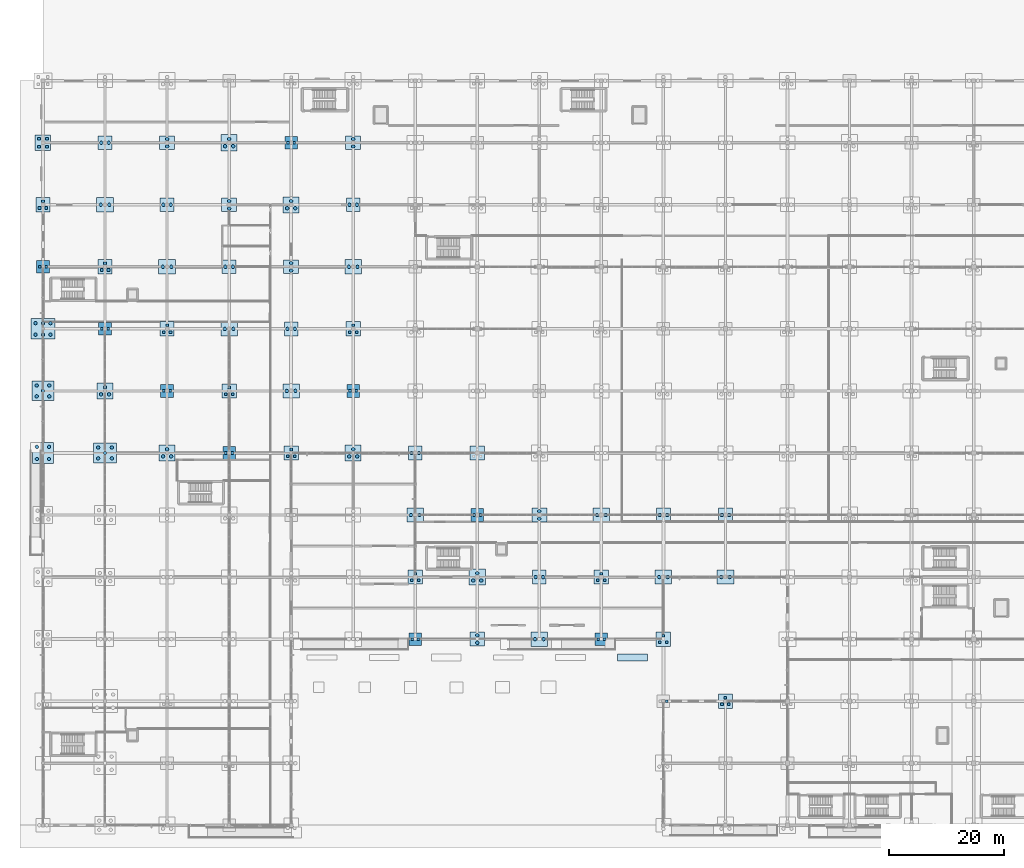
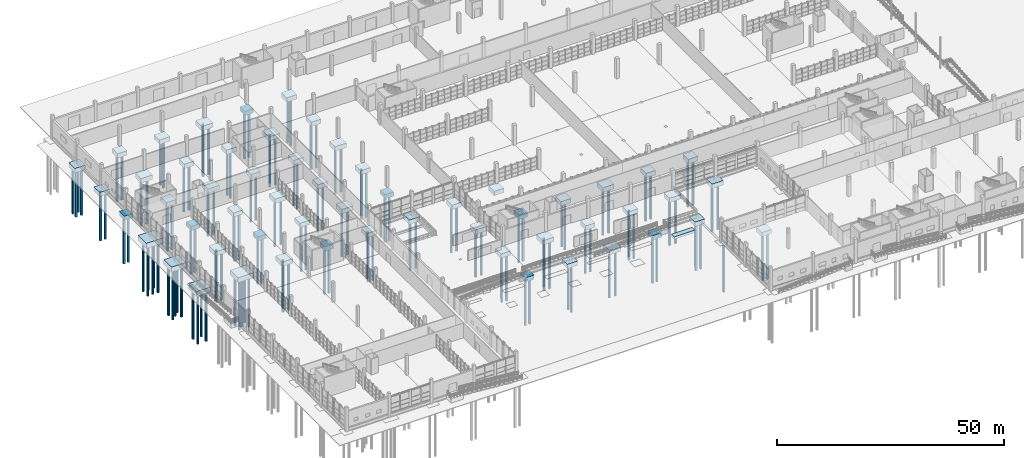
# One storey, part 2 of 138: 141 piles, 57 footings.
"""IFC4 building model written with IfcOpenShell, lengths in metres."""

from ifc_helpers import new_model, si_unit, direction, frame, origin, origin_2d, place, context, subcontext, project, spatial, rectangle, circle, extrude, material, material_profile, profile_set, type_object, element, save


model = new_model("IFC4")

# Units and contexts
model_context = context("Model", 3, precision=1e-05, world=origin(), true_north=direction((0.0, 1.0)))
body_context = subcontext(model_context, "Body", "Model", "MODEL_VIEW")
ifc_project = project(units=[si_unit("LENGTHUNIT", "METRE"), si_unit("AREAUNIT", "SQUARE_METRE"), si_unit("VOLUMEUNIT", "CUBIC_METRE"), si_unit("PLANEANGLEUNIT", "RADIAN"), si_unit("MASSUNIT", "GRAM", prefix="KILO")], contexts=[model_context])

# Site, building, storey
site_placement = place(None, origin())
site = spatial("IfcSite", under=ifc_project, at=site_placement, CompositionType="ELEMENT")
building_placement = place(site_placement, origin())
building = spatial("IfcBuilding", under=site, at=building_placement, Name="Zwinboog Wholesale Market", CompositionType="ELEMENT")
storey_placement = place(building_placement, origin())
storey = spatial("IfcBuildingStorey", under=building, at=storey_placement, Name="L00", CompositionType="ELEMENT", Elevation=0.0)

# Piles
ifc_material_1 = material(Name="Concrete C40/50", Category="concrete")
ifc_material_profile_1 = material_profile(ifc_material_1, circle(Radius=0.300048828125, at=origin_2d()), Name="PILE D600")
ifc_profile_set_1 = profile_set([ifc_material_profile_1], Name="Concrete C40/50")
pile_type_1 = type_object("IfcPileType", Name="PT-BORED-600", PredefinedType="BORED", material=ifc_profile_set_1)
for number, where, z_axis, x_axis, name in (
    (1, (-1.050048828125, 63.75, -2.39990234375), (0.0, 0.0, -1.0), (1.0, 0.0, 0.0), "P-01 (PIL-0020)"),
    (2, (1.050048828125, 63.75, -2.39990234375), (0.0, 0.0, -1.0), (1.0, 0.0, 0.0), "P-01 (PIL-0021)"),
    (3, (-1.050048828125, 65.85009765625, -2.39990234375), (0.0, 0.0, -1.0), (1.0, 0.0, 0.0), "P-01 (PIL-0022)"),
    (4, (1.050048828125, 65.85009765625, -2.39990234375), (0.0, 0.0, -1.0), (1.0, 0.0, 0.0), "P-01 (PIL-0023)"),
    (5, (-1.10009765625, 74.64990234375, -2.449951171875), (0.0, 0.0, -1.0), (1.0, 0.0, 0.0), "P-01 (PIL-0024)"),
    (6, (1.10009765625, 74.64990234375, -2.449951171875), (0.0, 0.0, -1.0), (1.0, 0.0, 0.0), "P-01 (PIL-0025)"),
    (7, (0.0, 75.60009765625, -2.449951171875), (0.0, 0.0, -1.0), (1.0, 0.0, 0.0), "P-01 (PIL-0026)"),
    (8, (-1.10009765625, 76.550048828125, -2.449951171875), (0.0, 0.0, -1.0), (1.0, 0.0, 0.0), "P-01 (PIL-0027)"),
    (9, (1.10009765625, 76.550048828125, -2.449951171875), (0.0, 0.0, -1.0), (1.0, 0.0, 0.0), "P-01 (PIL-0028)"),
    (10, (-1.300048828125, 85.39990234375, -2.5), (0.0, 0.0, -1.0), (1.0, 0.0, 0.0), "P-01 (PIL-0029)"),
    (11, (0.0, 85.39990234375, -2.5), (0.0, 0.0, -1.0), (1.0, 0.0, 0.0), "P-01 (PIL-0030)"),
    (12, (1.300048828125, 85.39990234375, -2.5), (0.0, 0.0, -1.0), (1.0, 0.0, 0.0), "P-01 (PIL-0031)"),
    (13, (-1.300048828125, 87.39990234375, -2.5), (0.0, 0.0, -1.0), (1.0, 0.0, 0.0), "P-01 (PIL-0032)"),
    (14, (0.0, 87.39990234375, -2.5), (0.0, 0.0, -1.0), (1.0, 0.0, 0.0), "P-01 (PIL-0033)"),
    (15, (1.300048828125, 87.39990234375, -2.5), (0.0, 0.0, -1.0), (1.0, 0.0, 0.0), "P-01 (PIL-0034)"),
    (16, (9.60009765625, 63.85009765625, -2.449951171875), (0.0, 0.0, -1.0), (1.0, 0.0, 0.0), "P-01 (PIL-0073)"),
    (17, (12.0, 63.85009765625, -2.449951171875), (0.0, 0.0, -1.0), (1.0, 0.0, 0.0), "P-01 (PIL-0074)"),
    (18, (10.800048828125, 64.800048828125, -2.449951171875), (0.0, 0.0, -1.0), (1.0, 0.0, 0.0), "P-01 (PIL-0075)"),
    (19, (9.60009765625, 65.75, -2.449951171875), (0.0, 0.0, -1.0), (1.0, 0.0, 0.0), "P-01 (PIL-0076)"),
    (20, (12.0, 65.75, -2.449951171875), (0.0, 0.0, -1.0), (1.0, 0.0, 0.0), "P-01 (PIL-0077)"),
):
    element("IfcPile", number, at=place(storey_placement, frame(where, z_axis=z_axis, x_axis=x_axis)), inside=storey, type_object=pile_type_1, Name=name, PredefinedType="BORED", context=body_context, shape_type="SweptSolid", body=[
        extrude(circle(Radius=0.300048828125, at=origin_2d()), origin(), (0.0, 0.0, 1.0), 13.5),
    ])
for number, where, z_axis, x_axis, name in (
    (21, (10.10009765625, 75.0, -2.300048828125), (0.0, 0.0, -1.0), (1.0, 0.0, 0.0), "P-01 (PIL-0078)"),
    (22, (11.5, 75.0, -2.300048828125), (0.0, 0.0, -1.0), (1.0, 0.0, 0.0), "P-01 (PIL-0079)"),
    (23, (10.800048828125, 76.25, -2.300048828125), (0.0, 0.0, -1.0), (1.0, 0.0, 0.0), "P-01 (PIL-0080)"),
):
    element("IfcPile", number, at=place(storey_placement, frame(where, z_axis=z_axis, x_axis=x_axis)), inside=storey, type_object=pile_type_1, Name=name, PredefinedType="BORED", context=body_context, shape_type="SweptSolid", body=[
        extrude(circle(Radius=0.300048828125, at=origin_2d()), origin(), (0.0, 0.0, 1.0), 13.0),
    ])
for number, where, z_axis, x_axis, name in (
    (24, (10.050048828125, 108.0, -2.300048828125), (0.0, 0.0, -1.0), (1.0, 0.0, 0.0), "P-01 (PIL-0086)"),
    (25, (11.550048828125, 108.0, -2.300048828125), (0.0, 0.0, -1.0), (1.0, 0.0, 0.0), "P-01 (PIL-0087)"),
    (26, (10.14990234375, 118.800048828125, -2.300048828125), (0.0, 0.0, -1.0), (1.0, 0.0, 0.0), "P-01 (PIL-0088)"),
    (27, (11.449951171875, 118.800048828125, -2.300048828125), (0.0, 0.0, -1.0), (1.0, 0.0, 0.0), "P-01 (PIL-0089)"),
):
    element("IfcPile", number, at=place(storey_placement, frame(where, z_axis=z_axis, x_axis=x_axis)), inside=storey, type_object=pile_type_1, Name=name, PredefinedType="BORED", context=body_context, shape_type="SweptSolid", body=[
        extrude(circle(Radius=0.300048828125, at=origin_2d()), origin(), (0.0, 0.0, 1.0), 12.5),
    ])
for number, where, z_axis, x_axis, name in (
    (28, (20.89990234375, 64.199951171875, -2.300048828125), (0.0, 0.0, -1.0), (1.0, 0.0, 0.0), "P-01 (PIL-0106)"),
    (29, (22.300048828125, 64.199951171875, -2.300048828125), (0.0, 0.0, -1.0), (1.0, 0.0, 0.0), "P-01 (PIL-0107)"),
    (30, (21.60009765625, 65.449951171875, -2.300048828125), (0.0, 0.0, -1.0), (1.0, 0.0, 0.0), "P-01 (PIL-0108)"),
):
    element("IfcPile", number, at=place(storey_placement, frame(where, z_axis=z_axis, x_axis=x_axis)), inside=storey, type_object=pile_type_1, Name=name, PredefinedType="BORED", context=body_context, shape_type="SweptSolid", body=[
        extrude(circle(Radius=0.300048828125, at=origin_2d()), origin(), (0.0, 0.0, 1.0), 13.0),
    ])
for number, where, z_axis, x_axis, name in (
    (31, (20.85009765625, 97.199951171875, -2.300048828125), (0.0, 0.0, -1.0), (1.0, 0.0, 0.0), "P-01 (PIL-0114)"),
    (32, (22.35009765625, 97.199951171875, -2.300048828125), (0.0, 0.0, -1.0), (1.0, 0.0, 0.0), "P-01 (PIL-0115)"),
    (33, (20.949951171875, 108.0, -2.300048828125), (0.0, 0.0, -1.0), (1.0, 0.0, 0.0), "P-01 (PIL-0116)"),
    (34, (22.25, 108.0, -2.300048828125), (0.0, 0.0, -1.0), (1.0, 0.0, 0.0), "P-01 (PIL-0117)"),
    (35, (21.60009765625, 118.14990234375, -2.300048828125), (0.0, 0.0, -1.0), (1.0, 0.0, 0.0), "P-01 (PIL-0118)"),
    (36, (21.60009765625, 119.449951171875, -2.300048828125), (0.0, 0.0, -1.0), (1.0, 0.0, 0.0), "P-01 (PIL-0119)"),
    (37, (31.64990234375, 86.39990234375, -2.300048828125), (0.0, 0.0, -1.0), (1.0, 0.0, 0.0), "P-01 (PIL-0142)"),
    (38, (33.14990234375, 86.39990234375, -2.300048828125), (0.0, 0.0, -1.0), (1.0, 0.0, 0.0), "P-01 (PIL-0143)"),
    (39, (31.75, 97.199951171875, -2.300048828125), (0.0, 0.0, -1.0), (1.0, 0.0, 0.0), "P-01 (PIL-0144)"),
    (40, (33.050048828125, 97.199951171875, -2.300048828125), (0.0, 0.0, -1.0), (1.0, 0.0, 0.0), "P-01 (PIL-0145)"),
    (41, (32.39990234375, 107.35009765625, -2.300048828125), (0.0, 0.0, -1.0), (1.0, 0.0, 0.0), "P-01 (PIL-0146)"),
    (42, (32.39990234375, 108.64990234375, -2.300048828125), (0.0, 0.0, -1.0), (1.0, 0.0, 0.0), "P-01 (PIL-0147)"),
):
    element("IfcPile", number, at=place(storey_placement, frame(where, z_axis=z_axis, x_axis=x_axis)), inside=storey, type_object=pile_type_1, Name=name, PredefinedType="BORED", context=body_context, shape_type="SweptSolid", body=[
        extrude(circle(Radius=0.300048828125, at=origin_2d()), origin(), (0.0, 0.0, 1.0), 12.5),
    ])
for number, where, z_axis, x_axis, name in (
    (43, (31.699951171875, 118.199951171875, -2.300048828125), (0.0, 0.0, -1.0), (1.0, 0.0, 0.0), "P-01 (PIL-0148)"),
    (44, (33.10009765625, 118.199951171875, -2.300048828125), (0.0, 0.0, -1.0), (1.0, 0.0, 0.0), "P-01 (PIL-0149)"),
    (45, (32.39990234375, 119.449951171875, -2.300048828125), (0.0, 0.0, -1.0), (1.0, 0.0, 0.0), "P-01 (PIL-0150)"),
):
    element("IfcPile", number, at=place(storey_placement, frame(where, z_axis=z_axis, x_axis=x_axis)), inside=storey, type_object=pile_type_1, Name=name, PredefinedType="BORED", context=body_context, shape_type="SweptSolid", body=[
        extrude(circle(Radius=0.300048828125, at=origin_2d()), origin(), (0.0, 0.0, 1.0), 13.0),
    ])
for number, where, z_axis, x_axis, name in (
    (46, (42.449951171875, 75.60009765625, -2.300048828125), (0.0, 0.0, -1.0), (1.0, 0.0, 0.0), "P-01 (PIL-0170)"),
    (47, (43.949951171875, 75.60009765625, -2.300048828125), (0.0, 0.0, -1.0), (1.0, 0.0, 0.0), "P-01 (PIL-0171)"),
    (48, (42.550048828125, 86.39990234375, -2.300048828125), (0.0, 0.0, -1.0), (1.0, 0.0, 0.0), "P-01 (PIL-0172)"),
    (49, (43.85009765625, 86.39990234375, -2.300048828125), (0.0, 0.0, -1.0), (1.0, 0.0, 0.0), "P-01 (PIL-0173)"),
    (50, (43.199951171875, 96.550048828125, -2.300048828125), (0.0, 0.0, -1.0), (1.0, 0.0, 0.0), "P-01 (PIL-0174)"),
    (51, (43.199951171875, 97.85009765625, -2.300048828125), (0.0, 0.0, -1.0), (1.0, 0.0, 0.0), "P-01 (PIL-0175)"),
):
    element("IfcPile", number, at=place(storey_placement, frame(where, z_axis=z_axis, x_axis=x_axis)), inside=storey, type_object=pile_type_1, Name=name, PredefinedType="BORED", context=body_context, shape_type="SweptSolid", body=[
        extrude(circle(Radius=0.300048828125, at=origin_2d()), origin(), (0.0, 0.0, 1.0), 12.5),
    ])
for number, where, z_axis, x_axis, name in (
    (52, (42.5, 107.39990234375, -2.300048828125), (0.0, 0.0, -1.0), (1.0, 0.0, 0.0), "P-01 (PIL-0176)"),
    (53, (43.89990234375, 107.39990234375, -2.300048828125), (0.0, 0.0, -1.0), (1.0, 0.0, 0.0), "P-01 (PIL-0177)"),
    (54, (43.199951171875, 108.64990234375, -2.300048828125), (0.0, 0.0, -1.0), (1.0, 0.0, 0.0), "P-01 (PIL-0178)"),
    (55, (53.300048828125, 64.199951171875, -2.300048828125), (0.0, 0.0, -1.0), (1.0, 0.0, 0.0), "P-01 (PIL-0190)"),
    (56, (54.699951171875, 64.199951171875, -2.300048828125), (0.0, 0.0, -1.0), (1.0, 0.0, 0.0), "P-01 (PIL-0191)"),
    (57, (54.0, 65.449951171875, -2.300048828125), (0.0, 0.0, -1.0), (1.0, 0.0, 0.0), "P-01 (PIL-0192)"),
):
    element("IfcPile", number, at=place(storey_placement, frame(where, z_axis=z_axis, x_axis=x_axis)), inside=storey, type_object=pile_type_1, Name=name, PredefinedType="BORED", context=body_context, shape_type="SweptSolid", body=[
        extrude(circle(Radius=0.300048828125, at=origin_2d()), origin(), (0.0, 0.0, 1.0), 13.0),
    ])
for number, where, z_axis, x_axis, name in (
    (58, (53.25, 97.199951171875, -2.300048828125), (0.0, 0.0, -1.0), (1.0, 0.0, 0.0), "P-01 (PIL-0198)"),
    (59, (54.75, 97.199951171875, -2.300048828125), (0.0, 0.0, -1.0), (1.0, 0.0, 0.0), "P-01 (PIL-0199)"),
    (60, (53.35009765625, 108.0, -2.300048828125), (0.0, 0.0, -1.0), (1.0, 0.0, 0.0), "P-01 (PIL-0200)"),
    (61, (54.64990234375, 108.0, -2.300048828125), (0.0, 0.0, -1.0), (1.0, 0.0, 0.0), "P-01 (PIL-0201)"),
    (62, (54.0, 118.14990234375, -2.300048828125), (0.0, 0.0, -1.0), (1.0, 0.0, 0.0), "P-01 (PIL-0202)"),
    (63, (54.0, 119.449951171875, -2.300048828125), (0.0, 0.0, -1.0), (1.0, 0.0, 0.0), "P-01 (PIL-0203)"),
    (64, (64.050048828125, 54.0, -2.300048828125), (0.0, 0.0, -1.0), (1.0, 0.0, 0.0), "P-01 (PIL-0212)"),
    (65, (65.550048828125, 54.0, -2.300048828125), (0.0, 0.0, -1.0), (1.0, 0.0, 0.0), "P-01 (PIL-0213)"),
    (66, (64.14990234375, 64.800048828125, -2.300048828125), (0.0, 0.0, -1.0), (1.0, 0.0, 0.0), "P-01 (PIL-0214)"),
    (67, (65.449951171875, 64.800048828125, -2.300048828125), (0.0, 0.0, -1.0), (1.0, 0.0, 0.0), "P-01 (PIL-0215)"),
    (68, (75.60009765625, 31.75, -2.300048828125), (0.0, 0.0, -1.0), (1.0, 0.0, 0.0), "P-01 (PIL-0230)"),
    (69, (75.60009765625, 33.050048828125, -2.300048828125), (0.0, 0.0, -1.0), (1.0, 0.0, 0.0), "P-01 (PIL-0231)"),
):
    element("IfcPile", number, at=place(storey_placement, frame(where, z_axis=z_axis, x_axis=x_axis)), inside=storey, type_object=pile_type_1, Name=name, PredefinedType="BORED", context=body_context, shape_type="SweptSolid", body=[
        extrude(circle(Radius=0.300048828125, at=origin_2d()), origin(), (0.0, 0.0, 1.0), 12.5),
    ])
for number, where, z_axis, x_axis, name in (
    (70, (74.89990234375, 42.60009765625, -2.300048828125), (0.0, 0.0, -1.0), (1.0, 0.0, 0.0), "P-01 (PIL-0232)"),
    (71, (76.300048828125, 42.60009765625, -2.300048828125), (0.0, 0.0, -1.0), (1.0, 0.0, 0.0), "P-01 (PIL-0233)"),
    (72, (75.60009765625, 43.85009765625, -2.300048828125), (0.0, 0.0, -1.0), (1.0, 0.0, 0.0), "P-01 (PIL-0234)"),
):
    element("IfcPile", number, at=place(storey_placement, frame(where, z_axis=z_axis, x_axis=x_axis)), inside=storey, type_object=pile_type_1, Name=name, PredefinedType="BORED", context=body_context, shape_type="SweptSolid", body=[
        extrude(circle(Radius=0.300048828125, at=origin_2d()), origin(), (0.0, 0.0, 1.0), 13.0),
    ])
for number, where, z_axis, x_axis, name in (
    (73, (85.64990234375, 32.39990234375, -2.300048828125), (0.0, 0.0, -1.0), (1.0, 0.0, 0.0), "P-01 (PIL-0254)"),
    (74, (87.14990234375, 32.39990234375, -2.300048828125), (0.0, 0.0, -1.0), (1.0, 0.0, 0.0), "P-01 (PIL-0255)"),
    (75, (85.75, 43.199951171875, -2.300048828125), (0.0, 0.0, -1.0), (1.0, 0.0, 0.0), "P-01 (PIL-0256)"),
    (76, (87.050048828125, 43.199951171875, -2.300048828125), (0.0, 0.0, -1.0), (1.0, 0.0, 0.0), "P-01 (PIL-0257)"),
    (77, (86.39990234375, 53.35009765625, -2.300048828125), (0.0, 0.0, -1.0), (1.0, 0.0, 0.0), "P-01 (PIL-0258)"),
    (78, (86.39990234375, 54.64990234375, -2.300048828125), (0.0, 0.0, -1.0), (1.0, 0.0, 0.0), "P-01 (PIL-0259)"),
    (79, (96.449951171875, 54.0, -2.300048828125), (0.0, 0.0, -1.0), (1.0, 0.0, 0.0), "P-01 (PIL-0282)"),
    (80, (97.949951171875, 54.0, -2.300048828125), (0.0, 0.0, -1.0), (1.0, 0.0, 0.0), "P-01 (PIL-0283)"),
    (81, (107.25, 43.199951171875, -2.300048828125), (0.0, 0.0, -1.0), (1.0, 0.0, 0.0), "P-01 (PIL-0310)"),
    (82, (108.75, 43.199951171875, -2.300048828125), (0.0, 0.0, -1.0), (1.0, 0.0, 0.0), "P-01 (PIL-0311)"),
    (83, (107.35009765625, 54.0, -2.300048828125), (0.0, 0.0, -1.0), (1.0, 0.0, 0.0), "P-01 (PIL-0312)"),
    (84, (108.64990234375, 54.0, -2.300048828125), (0.0, 0.0, -1.0), (1.0, 0.0, 0.0), "P-01 (PIL-0313)"),
    (85, (118.050048828125, 43.199951171875, -2.300048828125), (0.0, 0.0, -1.0), (1.0, 0.0, 0.0), "P-01 (PIL-0338)"),
    (86, (119.550048828125, 43.199951171875, -2.300048828125), (0.0, 0.0, -1.0), (1.0, 0.0, 0.0), "P-01 (PIL-0339)"),
    (87, (118.14990234375, 54.0, -2.300048828125), (0.0, 0.0, -1.0), (1.0, 0.0, 0.0), "P-01 (PIL-0340)"),
    (88, (119.449951171875, 54.0, -2.300048828125), (0.0, 0.0, -1.0), (1.0, 0.0, 0.0), "P-01 (PIL-0341)"),
):
    element("IfcPile", number, at=place(storey_placement, frame(where, z_axis=z_axis, x_axis=x_axis)), inside=storey, type_object=pile_type_1, Name=name, PredefinedType="BORED", context=body_context, shape_type="SweptSolid", body=[
        extrude(circle(Radius=0.300048828125, at=origin_2d()), origin(), (0.0, 0.0, 1.0), 12.5),
    ])
ifc_material_profile_2 = material_profile(ifc_material_1, rectangle(XDim=0.449951171875, YDim=0.449951171875, at=origin_2d()), Name="PILE SQ450")
ifc_profile_set_2 = profile_set([ifc_material_profile_2], Name="Concrete C40/50")
pile_type_2 = type_object("IfcPileType", Name="PT-DRIVEN-450", PredefinedType="DRIVEN", material=ifc_profile_set_2)
for number, where, z_axis, x_axis, name in (
    (89, (-0.550048828125, 97.199951171875, -2.25), (0.0, 0.0, -1.0), (1.0, 0.0, 0.0), "P-02 (PIL-0035)"),
    (90, (0.550048828125, 97.199951171875, -2.25), (0.0, 0.0, -1.0), (1.0, 0.0, 0.0), "P-02 (PIL-0036)"),
    (91, (-0.60009765625, 107.449951171875, -2.25), (0.0, 0.0, -1.0), (1.0, 0.0, 0.0), "P-02 (PIL-0037)"),
    (92, (0.60009765625, 107.449951171875, -2.25), (0.0, 0.0, -1.0), (1.0, 0.0, 0.0), "P-02 (PIL-0038)"),
    (93, (0.0, 108.60009765625, -2.25), (0.0, 0.0, -1.0), (1.0, 0.0, 0.0), "P-02 (PIL-0039)"),
    (94, (-0.699951171875, 118.10009765625, -2.300048828125), (0.0, 0.0, -1.0), (1.0, 0.0, 0.0), "P-02 (PIL-0040)"),
    (95, (0.699951171875, 118.10009765625, -2.300048828125), (0.0, 0.0, -1.0), (1.0, 0.0, 0.0), "P-02 (PIL-0041)"),
    (96, (-0.699951171875, 119.5, -2.300048828125), (0.0, 0.0, -1.0), (1.0, 0.0, 0.0), "P-02 (PIL-0042)"),
    (97, (0.699951171875, 119.5, -2.300048828125), (0.0, 0.0, -1.0), (1.0, 0.0, 0.0), "P-02 (PIL-0043)"),
    (98, (10.25, 86.39990234375, -2.25), (0.0, 0.0, -1.0), (1.0, 0.0, 0.0), "P-02 (PIL-0081)"),
    (99, (11.35009765625, 86.39990234375, -2.25), (0.0, 0.0, -1.0), (1.0, 0.0, 0.0), "P-02 (PIL-0082)"),
    (100, (10.199951171875, 96.64990234375, -2.25), (0.0, 0.0, -1.0), (1.0, 0.0, 0.0), "P-02 (PIL-0083)"),
    (101, (11.39990234375, 96.64990234375, -2.25), (0.0, 0.0, -1.0), (1.0, 0.0, 0.0), "P-02 (PIL-0084)"),
    (102, (10.800048828125, 97.800048828125, -2.25), (0.0, 0.0, -1.0), (1.0, 0.0, 0.0), "P-02 (PIL-0085)"),
    (103, (21.050048828125, 75.60009765625, -2.25), (0.0, 0.0, -1.0), (1.0, 0.0, 0.0), "P-02 (PIL-0109)"),
    (104, (22.14990234375, 75.60009765625, -2.25), (0.0, 0.0, -1.0), (1.0, 0.0, 0.0), "P-02 (PIL-0110)"),
    (105, (21.0, 85.85009765625, -2.25), (0.0, 0.0, -1.0), (1.0, 0.0, 0.0), "P-02 (PIL-0111)"),
    (106, (22.199951171875, 85.85009765625, -2.25), (0.0, 0.0, -1.0), (1.0, 0.0, 0.0), "P-02 (PIL-0112)"),
    (107, (21.60009765625, 87.0, -2.25), (0.0, 0.0, -1.0), (1.0, 0.0, 0.0), "P-02 (PIL-0113)"),
    (108, (31.85009765625, 64.800048828125, -2.25), (0.0, 0.0, -1.0), (1.0, 0.0, 0.0), "P-02 (PIL-0137)"),
    (109, (32.949951171875, 64.800048828125, -2.25), (0.0, 0.0, -1.0), (1.0, 0.0, 0.0), "P-02 (PIL-0138)"),
    (110, (31.800048828125, 75.050048828125, -2.25), (0.0, 0.0, -1.0), (1.0, 0.0, 0.0), "P-02 (PIL-0139)"),
    (111, (33.0, 75.050048828125, -2.25), (0.0, 0.0, -1.0), (1.0, 0.0, 0.0), "P-02 (PIL-0140)"),
    (112, (32.39990234375, 76.199951171875, -2.25), (0.0, 0.0, -1.0), (1.0, 0.0, 0.0), "P-02 (PIL-0141)"),
    (113, (42.60009765625, 64.25, -2.25), (0.0, 0.0, -1.0), (1.0, 0.0, 0.0), "P-02 (PIL-0167)"),
    (114, (43.800048828125, 64.25, -2.25), (0.0, 0.0, -1.0), (1.0, 0.0, 0.0), "P-02 (PIL-0168)"),
    (115, (43.199951171875, 65.39990234375, -2.25), (0.0, 0.0, -1.0), (1.0, 0.0, 0.0), "P-02 (PIL-0169)"),
    (116, (42.64990234375, 118.800048828125, -2.25), (0.0, 0.0, -1.0), (1.0, 0.0, 0.0), "P-02 (PIL-0179)"),
    (117, (43.75, 118.800048828125, -2.25), (0.0, 0.0, -1.0), (1.0, 0.0, 0.0), "P-02 (PIL-0180)"),
    (118, (53.449951171875, 75.60009765625, -2.25), (0.0, 0.0, -1.0), (1.0, 0.0, 0.0), "P-02 (PIL-0193)"),
    (119, (54.550048828125, 75.60009765625, -2.25), (0.0, 0.0, -1.0), (1.0, 0.0, 0.0), "P-02 (PIL-0194)"),
    (120, (53.39990234375, 85.85009765625, -2.25), (0.0, 0.0, -1.0), (1.0, 0.0, 0.0), "P-02 (PIL-0195)"),
    (121, (54.60009765625, 85.85009765625, -2.25), (0.0, 0.0, -1.0), (1.0, 0.0, 0.0), "P-02 (PIL-0196)"),
    (122, (54.0, 87.0, -2.25), (0.0, 0.0, -1.0), (1.0, 0.0, 0.0), "P-02 (PIL-0197)"),
    (123, (64.25, 32.39990234375, -2.25), (0.0, 0.0, -1.0), (1.0, 0.0, 0.0), "P-02 (PIL-0207)"),
    (124, (65.35009765625, 32.39990234375, -2.25), (0.0, 0.0, -1.0), (1.0, 0.0, 0.0), "P-02 (PIL-0208)"),
    (125, (64.199951171875, 42.64990234375, -2.25), (0.0, 0.0, -1.0), (1.0, 0.0, 0.0), "P-02 (PIL-0209)"),
    (126, (65.39990234375, 42.64990234375, -2.25), (0.0, 0.0, -1.0), (1.0, 0.0, 0.0), "P-02 (PIL-0210)"),
    (127, (64.800048828125, 43.800048828125, -2.25), (0.0, 0.0, -1.0), (1.0, 0.0, 0.0), "P-02 (PIL-0211)"),
    (128, (75.050048828125, 54.0, -2.25), (0.0, 0.0, -1.0), (1.0, 0.0, 0.0), "P-02 (PIL-0235)"),
    (129, (76.14990234375, 54.0, -2.25), (0.0, 0.0, -1.0), (1.0, 0.0, 0.0), "P-02 (PIL-0236)"),
    (130, (96.64990234375, 32.39990234375, -2.25), (0.0, 0.0, -1.0), (1.0, 0.0, 0.0), "P-02 (PIL-0277)"),
    (131, (97.75, 32.39990234375, -2.25), (0.0, 0.0, -1.0), (1.0, 0.0, 0.0), "P-02 (PIL-0278)"),
    (132, (96.60009765625, 42.64990234375, -2.25), (0.0, 0.0, -1.0), (1.0, 0.0, 0.0), "P-02 (PIL-0279)"),
    (133, (97.800048828125, 42.64990234375, -2.25), (0.0, 0.0, -1.0), (1.0, 0.0, 0.0), "P-02 (PIL-0280)"),
    (134, (97.199951171875, 43.800048828125, -2.25), (0.0, 0.0, -1.0), (1.0, 0.0, 0.0), "P-02 (PIL-0281)"),
    (135, (108.550048828125, 21.60009765625, -2.25), (0.0, 0.0, -1.0), (1.0, 0.0, 0.0), "P-02 (PIL-0306)"),
    (136, (107.39990234375, 31.85009765625, -2.25), (0.0, 0.0, -1.0), (1.0, 0.0, 0.0), "P-02 (PIL-0307)"),
    (137, (108.60009765625, 31.85009765625, -2.25), (0.0, 0.0, -1.0), (1.0, 0.0, 0.0), "P-02 (PIL-0308)"),
    (138, (108.0, 33.0, -2.25), (0.0, 0.0, -1.0), (1.0, 0.0, 0.0), "P-02 (PIL-0309)"),
    (139, (118.199951171875, 21.050048828125, -2.25), (0.0, 0.0, -1.0), (1.0, 0.0, 0.0), "P-02 (PIL-0335)"),
    (140, (119.39990234375, 21.050048828125, -2.25), (0.0, 0.0, -1.0), (1.0, 0.0, 0.0), "P-02 (PIL-0336)"),
    (141, (118.800048828125, 22.199951171875, -2.25), (0.0, 0.0, -1.0), (1.0, 0.0, 0.0), "P-02 (PIL-0337)"),
):
    element("IfcPile", number, at=place(storey_placement, frame(where, z_axis=z_axis, x_axis=x_axis)), inside=storey, type_object=pile_type_2, Name=name, PredefinedType="DRIVEN", context=body_context, shape_type="SweptSolid", body=[
        extrude(rectangle(XDim=0.449951171875, YDim=0.449951171875, at=origin_2d()), origin(), (0.0, 0.0, 1.0), 12.5),
    ])

# Footings
ifc_material_2 = material(Name="Concrete C35/45", Category="concrete")
footing_type_1 = type_object("IfcFootingType", Name="FT-PC-01", PredefinedType="PILE_CAP", material=ifc_material_2)
for number, where, z_axis, x_axis, name in (
    (142, (10.800048828125, 118.800048828125, -2.39990234375), (0.0, 0.0, 1.0), (1.0, 0.0, 0.0), "FC-01 (FND-PC-025)"),
    (143, (21.60009765625, 108.0, -2.39990234375), (0.0, 0.0, 1.0), (1.0, 0.0, 0.0), "FC-01 (FND-PC-037)"),
    (144, (32.39990234375, 97.199951171875, -2.39990234375), (0.0, 0.0, 1.0), (1.0, 0.0, 0.0), "FC-01 (FND-PC-049)"),
    (145, (43.199951171875, 86.39990234375, -2.39990234375), (0.0, 0.0, 1.0), (1.0, 0.0, 0.0), "FC-01 (FND-PC-061)"),
    (146, (54.0, 108.0, -2.39990234375), (0.0, 0.0, 1.0), (1.0, 0.0, 0.0), "FC-01 (FND-PC-073)"),
    (147, (64.800048828125, 64.800048828125, -2.39990234375), (0.0, 0.0, 1.0), (1.0, 0.0, 0.0), "FC-01 (FND-PC-079)"),
    (148, (86.39990234375, 43.199951171875, -2.39990234375), (0.0, 0.0, 1.0), (1.0, 0.0, 0.0), "FC-01 (FND-PC-097)"),
    (149, (108.0, 54.0, -2.39990234375), (0.0, 0.0, 1.0), (1.0, 0.0, 0.0), "FC-01 (FND-PC-121)"),
    (150, (118.800048828125, 54.0, -2.39990234375), (0.0, 0.0, 1.0), (1.0, 0.0, 0.0), "FC-01 (FND-PC-133)"),
):
    element("IfcFooting", number, at=place(storey_placement, frame(where, z_axis=z_axis, x_axis=x_axis)), inside=storey, type_object=footing_type_1, Name=name, PredefinedType="PILE_CAP", context=body_context, shape_type="SweptSolid", body=[
        extrude(rectangle(XDim=2.39990234375, YDim=2.39990234375, at=origin_2d()), origin(), (0.0, 0.0, 1.0), 1.199951171875),
    ])
footing_type_2 = type_object("IfcFootingType", Name="FT-PC-02", PredefinedType="PILE_CAP", material=ifc_material_2)
for number, where, z_axis, x_axis, name in (
    (151, (21.60009765625, 118.800048828125, -2.39990234375), (0.0, 0.0, 1.0), (1.0, 0.0, 0.0), "FC-02 (FND-PC-038)"),
    (152, (32.39990234375, 108.0, -2.39990234375), (0.0, 0.0, 1.0), (1.0, 0.0, 0.0), "FC-02 (FND-PC-050)"),
    (153, (43.199951171875, 97.199951171875, -2.39990234375), (0.0, 0.0, 1.0), (1.0, 0.0, 0.0), "FC-02 (FND-PC-062)"),
    (154, (54.0, 118.800048828125, -2.39990234375), (0.0, 0.0, 1.0), (1.0, 0.0, 0.0), "FC-02 (FND-PC-074)"),
    (155, (75.60009765625, 32.39990234375, -2.39990234375), (0.0, 0.0, 1.0), (1.0, 0.0, 0.0), "FC-02 (FND-PC-086)"),
    (156, (86.39990234375, 54.0, -2.39990234375), (0.0, 0.0, 1.0), (1.0, 0.0, 0.0), "FC-02 (FND-PC-098)"),
):
    element("IfcFooting", number, at=place(storey_placement, frame(where, z_axis=z_axis, x_axis=x_axis)), inside=storey, type_object=footing_type_2, Name=name, PredefinedType="PILE_CAP", context=body_context, shape_type="SweptSolid", body=[
        extrude(rectangle(XDim=2.60009765625, YDim=2.39990234375, at=origin_2d()), origin(), (0.0, 0.0, 1.0), 1.199951171875),
    ])
footing_type_3 = type_object("IfcFootingType", Name="FT-PC-03", PredefinedType="PILE_CAP", material=ifc_material_2)
for number, where, z_axis, x_axis, name in (
    (157, (10.800048828125, 75.60009765625, -2.39990234375), (0.0, 0.0, 1.0), (1.0, 0.0, 0.0), "FC-03 (FND-PC-021)"),
    (158, (21.60009765625, 64.800048828125, -2.39990234375), (0.0, 0.0, 1.0), (1.0, 0.0, 0.0), "FC-03 (FND-PC-033)"),
    (159, (32.39990234375, 118.800048828125, -2.39990234375), (0.0, 0.0, 1.0), (1.0, 0.0, 0.0), "FC-03 (FND-PC-051)"),
    (160, (43.199951171875, 108.0, -2.39990234375), (0.0, 0.0, 1.0), (1.0, 0.0, 0.0), "FC-03 (FND-PC-063)"),
    (161, (54.0, 64.800048828125, -2.39990234375), (0.0, 0.0, 1.0), (1.0, 0.0, 0.0), "FC-03 (FND-PC-069)"),
    (162, (75.60009765625, 43.199951171875, -2.39990234375), (0.0, 0.0, 1.0), (1.0, 0.0, 0.0), "FC-03 (FND-PC-087)"),
):
    element("IfcFooting", number, at=place(storey_placement, frame(where, z_axis=z_axis, x_axis=x_axis)), inside=storey, type_object=footing_type_3, Name=name, PredefinedType="PILE_CAP", context=body_context, shape_type="SweptSolid", body=[
        extrude(rectangle(XDim=2.800048828125, YDim=2.800048828125, at=origin_2d()), origin(), (0.0, 0.0, 1.0), 1.199951171875),
    ])
footing_type_4 = type_object("IfcFootingType", Name="FT-PC-07", PredefinedType="PILE_CAP", material=ifc_material_2)
footing_1_placement = place(storey_placement, frame((0.0, 64.800048828125, -2.5), z_axis=(0.0, 0.0, 1.0), x_axis=(1.0, 0.0, 0.0)))
element("IfcFooting", 163, at=footing_1_placement, inside=storey, type_object=footing_type_4, Name="FC-07 (FND-PC-007)", PredefinedType="PILE_CAP", context=body_context, shape_type="SweptSolid", body=[
    extrude(rectangle(XDim=3.60009765625, YDim=3.60009765625, at=origin_2d()), origin(), (0.0, 0.0, 1.0), 1.300048828125),
])
footing_type_5 = type_object("IfcFootingType", Name="FT-PC-08", PredefinedType="PILE_CAP", material=ifc_material_2)
footing_2_placement = place(storey_placement, frame((0.0, 75.60009765625, -2.550048828125), z_axis=(0.0, 0.0, 1.0), x_axis=(1.0, 0.0, 0.0)))
element("IfcFooting", 164, at=footing_2_placement, inside=storey, type_object=footing_type_5, Name="FC-08 (FND-PC-008)", PredefinedType="PILE_CAP", context=body_context, shape_type="SweptSolid", body=[
    extrude(rectangle(XDim=3.800048828125, YDim=3.39990234375, at=origin_2d()), origin(), (0.0, 0.0, 1.0), 1.35009765625),
])
footing_type_6 = type_object("IfcFootingType", Name="FT-PC-09", PredefinedType="PILE_CAP", material=ifc_material_2)
footing_3_placement = place(storey_placement, frame((0.0, 86.39990234375, -2.599853515625), z_axis=(0.0, 0.0, 1.0), x_axis=(1.0, 0.0, 0.0)))
element("IfcFooting", 165, at=footing_3_placement, inside=storey, type_object=footing_type_6, Name="FC-09 (FND-PC-009)", PredefinedType="PILE_CAP", context=body_context, shape_type="SweptSolid", body=[
    extrude(rectangle(XDim=4.199951171875, YDim=3.60009765625, at=origin_2d()), origin(), (0.0, 0.0, 1.0), 1.39990234375),
])
footing_type_7 = type_object("IfcFootingType", Name="FT-PC-10", PredefinedType="PILE_CAP", material=ifc_material_2)
for number, where, z_axis, x_axis, name in (
    (166, (0.0, 97.199951171875, -2.349853515625), (0.0, 0.0, 1.0), (1.0, 0.0, 0.0), "FC-10 (FND-PC-010)"),
    (167, (10.800048828125, 86.39990234375, -2.349853515625), (0.0, 0.0, 1.0), (1.0, 0.0, 0.0), "FC-10 (FND-PC-022)"),
    (168, (21.60009765625, 75.60009765625, -2.349853515625), (0.0, 0.0, 1.0), (1.0, 0.0, 0.0), "FC-10 (FND-PC-034)"),
    (169, (32.39990234375, 64.800048828125, -2.349853515625), (0.0, 0.0, 1.0), (1.0, 0.0, 0.0), "FC-10 (FND-PC-046)"),
    (170, (43.199951171875, 118.800048828125, -2.349853515625), (0.0, 0.0, 1.0), (1.0, 0.0, 0.0), "FC-10 (FND-PC-064)"),
    (171, (54.0, 75.60009765625, -2.349853515625), (0.0, 0.0, 1.0), (1.0, 0.0, 0.0), "FC-10 (FND-PC-070)"),
    (172, (64.800048828125, 32.39990234375, -2.349853515625), (0.0, 0.0, 1.0), (1.0, 0.0, 0.0), "FC-10 (FND-PC-076)"),
    (173, (75.60009765625, 54.0, -2.349853515625), (0.0, 0.0, 1.0), (1.0, 0.0, 0.0), "FC-10 (FND-PC-088)"),
    (174, (97.199951171875, 32.39990234375, -2.349853515625), (0.0, 0.0, 1.0), (1.0, 0.0, 0.0), "FC-10 (FND-PC-106)"),
):
    element("IfcFooting", number, at=place(storey_placement, frame(where, z_axis=z_axis, x_axis=x_axis)), inside=storey, type_object=footing_type_7, Name=name, PredefinedType="PILE_CAP", context=body_context, shape_type="SweptSolid", body=[
        extrude(rectangle(XDim=2.199951171875, YDim=2.199951171875, at=origin_2d()), origin(), (0.0, 0.0, 1.0), 1.14990234375),
    ])
footing_type_8 = type_object("IfcFootingType", Name="FT-PC-11", PredefinedType="PILE_CAP", material=ifc_material_2)
for number, where, z_axis, x_axis, name in (
    (175, (0.0, 108.0, -2.349853515625), (0.0, 0.0, 1.0), (1.0, 0.0, 0.0), "FC-11 (FND-PC-011)"),
    (176, (10.800048828125, 97.199951171875, -2.349853515625), (0.0, 0.0, 1.0), (1.0, 0.0, 0.0), "FC-11 (FND-PC-023)"),
    (177, (21.60009765625, 86.39990234375, -2.349853515625), (0.0, 0.0, 1.0), (1.0, 0.0, 0.0), "FC-11 (FND-PC-035)"),
    (178, (32.39990234375, 75.60009765625, -2.349853515625), (0.0, 0.0, 1.0), (1.0, 0.0, 0.0), "FC-11 (FND-PC-047)"),
    (179, (43.199951171875, 64.800048828125, -2.349853515625), (0.0, 0.0, 1.0), (1.0, 0.0, 0.0), "FC-11 (FND-PC-059)"),
    (180, (54.0, 86.39990234375, -2.349853515625), (0.0, 0.0, 1.0), (1.0, 0.0, 0.0), "FC-11 (FND-PC-071)"),
    (181, (64.800048828125, 43.199951171875, -2.349853515625), (0.0, 0.0, 1.0), (1.0, 0.0, 0.0), "FC-11 (FND-PC-077)"),
    (182, (75.60009765625, 64.800048828125, -2.349853515625), (0.0, 0.0, 1.0), (1.0, 0.0, 0.0), "FC-11 (FND-PC-089)"),
    (183, (97.199951171875, 43.199951171875, -2.349853515625), (0.0, 0.0, 1.0), (1.0, 0.0, 0.0), "FC-11 (FND-PC-107)"),
    (184, (108.0, 32.39990234375, -2.349853515625), (0.0, 0.0, 1.0), (1.0, 0.0, 0.0), "FC-11 (FND-PC-119)"),
    (185, (118.800048828125, 21.60009765625, -2.349853515625), (0.0, 0.0, 1.0), (1.0, 0.0, 0.0), "FC-11 (FND-PC-131)"),
):
    element("IfcFooting", number, at=place(storey_placement, frame(where, z_axis=z_axis, x_axis=x_axis)), inside=storey, type_object=footing_type_8, Name=name, PredefinedType="PILE_CAP", context=body_context, shape_type="SweptSolid", body=[
        extrude(rectangle(XDim=2.5, YDim=2.5, at=origin_2d()), origin(), (0.0, 0.0, 1.0), 1.14990234375),
    ])
footing_type_9 = type_object("IfcFootingType", Name="FT-PC-12", PredefinedType="PILE_CAP", material=ifc_material_2)
footing_4_placement = place(storey_placement, frame((0.0, 118.800048828125, -2.39990234375), z_axis=(0.0, 0.0, 1.0), x_axis=(1.0, 0.0, 0.0)))
element("IfcFooting", 186, at=footing_4_placement, inside=storey, type_object=footing_type_9, Name="FC-12 (FND-PC-012)", PredefinedType="PILE_CAP", context=body_context, shape_type="SweptSolid", body=[
    extrude(rectangle(XDim=2.699951171875, YDim=2.699951171875, at=origin_2d()), origin(), (0.0, 0.0, 1.0), 1.199951171875),
])
footing_type_10 = type_object("IfcFootingType", Name="FT-PC-17", PredefinedType="PILE_CAP", material=ifc_material_2)
for number, where, z_axis, x_axis, name in (
    (187, (10.800048828125, 108.0, -2.39990234375), (0.0, 0.0, 1.0), (1.0, 0.0, 0.0), "FC-17 (FND-PC-024)"),
    (188, (21.60009765625, 97.199951171875, -2.39990234375), (0.0, 0.0, 1.0), (1.0, 0.0, 0.0), "FC-17 (FND-PC-036)"),
    (189, (32.39990234375, 86.39990234375, -2.39990234375), (0.0, 0.0, 1.0), (1.0, 0.0, 0.0), "FC-17 (FND-PC-048)"),
    (190, (43.199951171875, 75.60009765625, -2.39990234375), (0.0, 0.0, 1.0), (1.0, 0.0, 0.0), "FC-17 (FND-PC-060)"),
    (191, (54.0, 97.199951171875, -2.39990234375), (0.0, 0.0, 1.0), (1.0, 0.0, 0.0), "FC-17 (FND-PC-072)"),
    (192, (64.800048828125, 54.0, -2.39990234375), (0.0, 0.0, 1.0), (1.0, 0.0, 0.0), "FC-17 (FND-PC-078)"),
    (193, (86.39990234375, 32.39990234375, -2.39990234375), (0.0, 0.0, 1.0), (1.0, 0.0, 0.0), "FC-17 (FND-PC-096)"),
    (194, (97.199951171875, 54.0, -2.39990234375), (0.0, 0.0, 1.0), (1.0, 0.0, 0.0), "FC-17 (FND-PC-108)"),
    (195, (108.0, 43.199951171875, -2.39990234375), (0.0, 0.0, 1.0), (1.0, 0.0, 0.0), "FC-17 (FND-PC-120)"),
    (196, (118.800048828125, 43.199951171875, -2.39990234375), (0.0, 0.0, 1.0), (1.0, 0.0, 0.0), "FC-17 (FND-PC-132)"),
):
    element("IfcFooting", number, at=place(storey_placement, frame(where, z_axis=z_axis, x_axis=x_axis)), inside=storey, type_object=footing_type_10, Name=name, PredefinedType="PILE_CAP", context=body_context, shape_type="SweptSolid", body=[
        extrude(rectangle(XDim=2.89990234375, YDim=2.5, at=origin_2d()), origin(), (0.0, 0.0, 1.0), 1.199951171875),
    ])
footing_type_11 = type_object("IfcFootingType", Name="FT-PC-20", PredefinedType="PILE_CAP", material=ifc_material_2)
footing_5_placement = place(storey_placement, frame((10.800048828125, 64.800048828125, -2.550048828125), z_axis=(0.0, 0.0, 1.0), x_axis=(1.0, 0.0, 0.0)))
element("IfcFooting", 197, at=footing_5_placement, inside=storey, type_object=footing_type_11, Name="FC-20 (FND-PC-020)", PredefinedType="PILE_CAP", context=body_context, shape_type="SweptSolid", body=[
    extrude(rectangle(XDim=4.0, YDim=3.5, at=origin_2d()), origin(), (0.0, 0.0, 1.0), 1.35009765625),
])
footing_type_12 = type_object("IfcFootingType", Name="FT-STR-03", PredefinedType="STRIP_FOOTING", material=ifc_material_2)
footing_6_placement = place(storey_placement, frame((102.60009765625, 29.199951171875, -1.89990234375), z_axis=(0.0, 0.0, 1.0), x_axis=(1.0, 0.0, 0.0)))
element("IfcFooting", 198, at=footing_6_placement, inside=storey, type_object=footing_type_12, Name="FS-03 (FND-STR-06)", PredefinedType="STRIP_FOOTING", context=body_context, shape_type="SweptSolid", body=[
    extrude(rectangle(XDim=5.199951171875, YDim=1.25, at=origin_2d()), origin(), (0.0, 0.0, 1.0), 0.699951171875),
])

save(model, "model.ifc")
